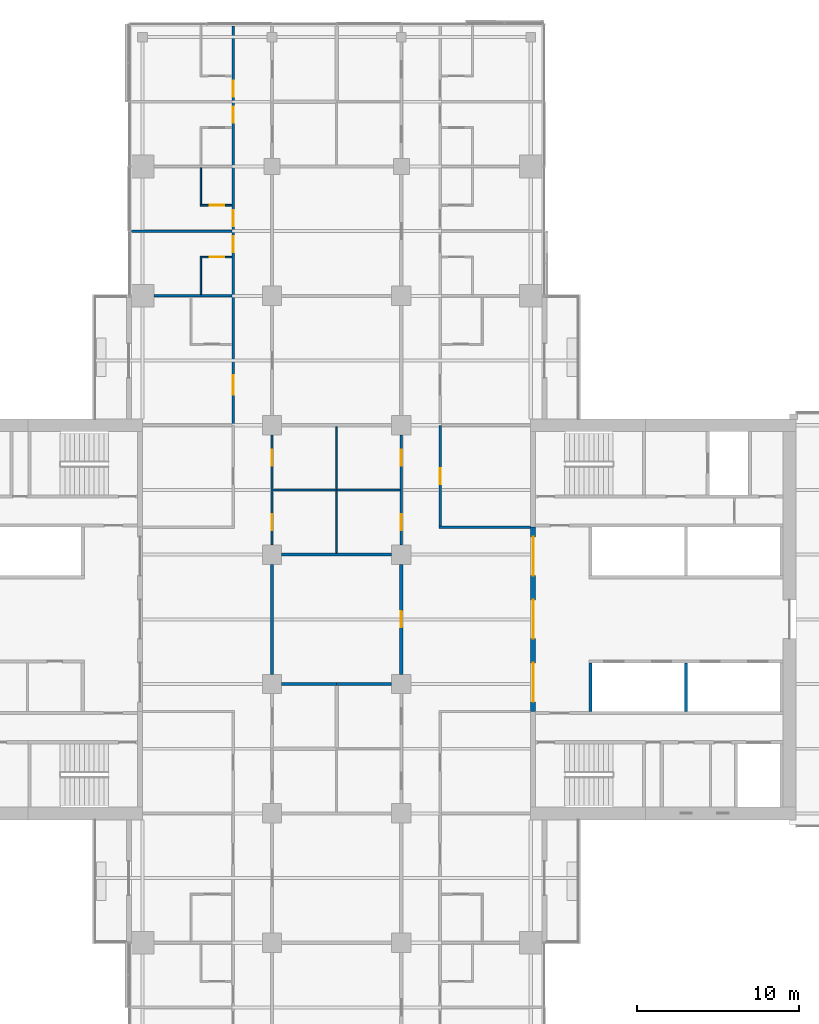
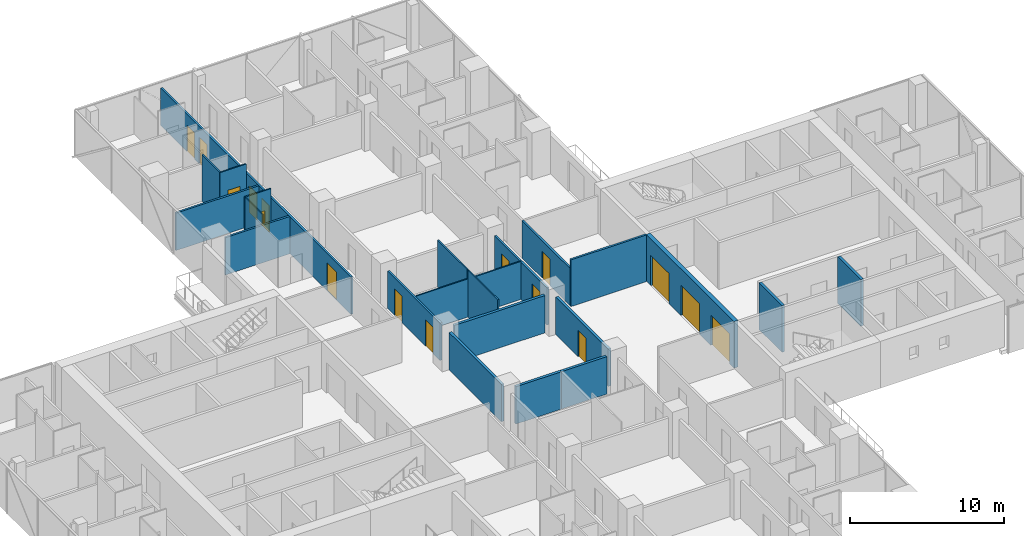
# One storey, part 20 of 29: 22 walls, 16 doors, 16 openings.
"""IFC4 building model written with IfcOpenShell, lengths in metres."""

from ifc_helpers import new_model, si_unit, direction, frame, frame_2d, origin, place, context, subcontext, project, spatial, rectangle, extrude, material, layer, layer_set, type_object, element, fill, save


model = new_model("IFC4")

# Units and contexts
model_context = context("Model", 3, precision=1e-05, world=origin(), true_north=direction((0.0, 1.0)))
body_context = subcontext(model_context, "Body", "Model", "MODEL_VIEW")
ifc_project = project(units=[si_unit("LENGTHUNIT", "METRE"), si_unit("AREAUNIT", "SQUARE_METRE"), si_unit("VOLUMEUNIT", "CUBIC_METRE"), si_unit("PLANEANGLEUNIT", "RADIAN"), si_unit("MASSUNIT", "GRAM", prefix="KILO")], contexts=[model_context])

# Site, building, storey
site_placement = place(None, origin())
site = spatial("IfcSite", under=ifc_project, at=site_placement, CompositionType="ELEMENT")
building_placement = place(site_placement, origin())
building = spatial("IfcBuilding", under=site, at=building_placement, Name="Crosswind Convention Tower", CompositionType="ELEMENT")
storey_placement = place(building_placement, frame((0.0, 0.0, 60.89990234375)))
storey = spatial("IfcBuildingStorey", under=building, at=storey_placement, Name="L09", CompositionType="ELEMENT", Elevation=60.89990234375)

# Walls
ifc_material_1 = material(Name="Concrete blockwork", Category="masonry")
ifc_layer_1 = layer(ifc_material_1, 0.199951171875)
ifc_layer_set_1 = layer_set([ifc_layer_1], Name="COMPARTMENT WALL 200")
wall_type_1 = type_object("IfcWallType", Name="COMPARTMENT WALL 200", PredefinedType="SOLIDWALL", material=ifc_layer_set_1)
wall_1_placement = place(storey_placement, frame((121.60009765625, 96.0, 0.0), z_axis=(0.0, 0.0, 1.0), x_axis=(1.0, 0.0, 0.0)))
element("IfcWall", 1, at=wall_1_placement, inside=storey, type_object=wall_type_1, Name="Compartment Wall 37", PredefinedType="SOLIDWALL", context=body_context, shape_type="SweptSolid", body=[
    extrude(rectangle(XDim=3.39990234375, YDim=0.199951171875, at=frame_2d((1.699951171875, 0.0))), origin(), (0.0, 0.0, 1.0), 2.9599609375),
])
ifc_material_2 = material(Name="Plasterboard partition", Category="gypsum")
ifc_layer_2 = layer(ifc_material_2, 0.14990234375)
ifc_layer_set_2 = layer_set([ifc_layer_2], Name="CORRIDOR WALL 150")
wall_type_2 = type_object("IfcWallType", Name="CORRIDOR WALL 150", PredefinedType="PARTITIONING", material=ifc_layer_set_2)
wall_2_placement = place(storey_placement, frame((131.324951171875, 105.699951171875, 0.0), z_axis=(0.0, 0.0, 1.0), x_axis=(1.0, 0.0, 0.0)))
element("IfcWall", 2, at=wall_2_placement, inside=storey, type_object=wall_type_2, Name="Corridor Wall 55", PredefinedType="PARTITIONING", context=body_context, shape_type="SweptSolid", body=[
    extrude(rectangle(XDim=5.675048828125, YDim=0.14990234375, at=frame_2d((2.83740234375, 0.0))), origin(), (0.0, 0.0, 1.0), 3.7001953125),
])

# Wall, openings, doors
wall_3_placement = place(storey_placement, frame((121.0, 104.60009765625, 0.0), z_axis=(0.0, 0.0, 1.0), x_axis=(0.0, 1.0, 0.0)))
wall_3 = element("IfcWall", 3, at=wall_3_placement, inside=storey, type_object=wall_type_2, Name="Corridor Wall 114", PredefinedType="PARTITIONING", context=body_context, shape_type="SweptSolid", body=[
    extrude(rectangle(XDim=6.7998046875, YDim=0.14990234375, at=frame_2d((3.39990234375, 0.0))), origin(), (0.0, 0.0, 1.0), 2.9599609375),
])
opening_1_placement = place(wall_3_placement, frame((0.89990234375, 0.0, 0.0)))
opening_1 = element("IfcOpeningElement", 4, at=opening_1_placement, cuts=wall_3, Name="Opening 09.080", PredefinedType="OPENING", context=body_context, shape_type="SweptSolid", body=[
    extrude(rectangle(XDim=1.0, YDim=2.10009765625, at=frame_2d((0.5, 1.050048828125))), frame((0.0, 0.0849609375, 0.0), z_axis=(0.0, -1.0, 0.0), x_axis=(1.0, 0.0, 0.0)), (0.0, 0.0, 1.0), 0.169921875),
])
opening_2_placement = place(wall_3_placement, frame((4.89990234375, 0.0, 0.0)))
opening_2 = element("IfcOpeningElement", 5, at=opening_2_placement, cuts=wall_3, Name="Opening 09.081", PredefinedType="OPENING", context=body_context, shape_type="SweptSolid", body=[
    extrude(rectangle(XDim=1.0, YDim=2.10009765625, at=frame_2d((0.5, 1.050048828125))), frame((0.0, 0.0849609375, 0.0), z_axis=(0.0, -1.0, 0.0), x_axis=(1.0, 0.0, 0.0)), (0.0, 0.0, 1.0), 0.169921875),
])
ifc_material_3 = material(Name="Timber fire door", Category="wood")
door_type_1 = type_object("IfcDoorType", Name="SERVICE ROOM DOOR 1000X2100", OperationType="NOTDEFINED", PredefinedType="DOOR", material=ifc_material_3)
door_1_placement = place(opening_1_placement, frame((1.0, 0.0, 0.0), z_axis=(0.0, 0.0, 1.0), x_axis=(-1.0, 0.0, 0.0)))
door_1 = element("IfcDoor", 6, at=door_1_placement, inside=storey, type_object=door_type_1, Name="Door 09.080", ObjectType="D3", OperationType="SINGLE_SWING_RIGHT", OverallHeight=2.10009765625, OverallWidth=1.0, PredefinedType="DOOR", context=body_context, shape_type="SweptSolid", body=[
    extrude(rectangle(XDim=1.0, YDim=2.10009765625, at=frame_2d((0.5, 1.050048828125))), frame((0.0, 0.02490234375, 0.0), z_axis=(0.0, -1.0, 0.0), x_axis=(1.0, 0.0, 0.0)), (0.0, 0.0, 1.0), 0.050048828125),
])
fill(opening_1, door_1)
door_2_placement = place(opening_2_placement, frame((1.0, 0.0, 0.0), z_axis=(0.0, 0.0, 1.0), x_axis=(-1.0, 0.0, 0.0)))
door_2 = element("IfcDoor", 7, at=door_2_placement, inside=storey, type_object=door_type_1, Name="Door 09.081", ObjectType="D3", OperationType="SINGLE_SWING_LEFT", OverallHeight=2.10009765625, OverallWidth=1.0, PredefinedType="DOOR", context=body_context, shape_type="SweptSolid", body=[
    extrude(rectangle(XDim=1.0, YDim=2.10009765625, at=frame_2d((0.5, 1.050048828125))), frame((0.0, 0.02490234375, 0.0), z_axis=(0.0, -1.0, 0.0), x_axis=(1.0, 0.0, 0.0)), (0.0, 0.0, 1.0), 0.050048828125),
])
fill(opening_2, door_2)

wall_4_placement = place(storey_placement, frame((129.0, 104.60009765625, 0.0), z_axis=(0.0, 0.0, 1.0), x_axis=(0.0, 1.0, 0.0)))
wall_4 = element("IfcWall", 8, at=wall_4_placement, inside=storey, type_object=wall_type_2, Name="Corridor Wall 134", PredefinedType="PARTITIONING", context=body_context, shape_type="SweptSolid", body=[
    extrude(rectangle(XDim=6.7998046875, YDim=0.14990234375, at=frame_2d((3.39990234375, 0.0))), origin(), (0.0, 0.0, 1.0), 2.9599609375),
])
opening_3_placement = place(wall_4_placement, frame((0.89990234375, 0.0, 0.0)))
opening_3 = element("IfcOpeningElement", 9, at=opening_3_placement, cuts=wall_4, Name="Opening 09.082", PredefinedType="OPENING", context=body_context, shape_type="SweptSolid", body=[
    extrude(rectangle(XDim=1.0, YDim=2.10009765625, at=frame_2d((0.5, 1.050048828125))), frame((0.0, 0.0849609375, 0.0), z_axis=(0.0, -1.0, 0.0), x_axis=(1.0, 0.0, 0.0)), (0.0, 0.0, 1.0), 0.169921875),
])
opening_4_placement = place(wall_4_placement, frame((4.89990234375, 0.0, 0.0)))
opening_4 = element("IfcOpeningElement", 10, at=opening_4_placement, cuts=wall_4, Name="Opening 09.083", PredefinedType="OPENING", context=body_context, shape_type="SweptSolid", body=[
    extrude(rectangle(XDim=1.0, YDim=2.10009765625, at=frame_2d((0.5, 1.050048828125))), frame((0.0, 0.0849609375, 0.0), z_axis=(0.0, -1.0, 0.0), x_axis=(1.0, 0.0, 0.0)), (0.0, 0.0, 1.0), 0.169921875),
])
door_3_placement = place(opening_3_placement, origin())
door_3 = element("IfcDoor", 11, at=door_3_placement, inside=storey, type_object=door_type_1, Name="Door 09.082", ObjectType="D3", OperationType="SINGLE_SWING_LEFT", OverallHeight=2.10009765625, OverallWidth=1.0, PredefinedType="DOOR", context=body_context, shape_type="SweptSolid", body=[
    extrude(rectangle(XDim=1.0, YDim=2.10009765625, at=frame_2d((0.5, 1.050048828125))), frame((0.0, 0.02490234375, 0.0), z_axis=(0.0, -1.0, 0.0), x_axis=(1.0, 0.0, 0.0)), (0.0, 0.0, 1.0), 0.050048828125),
])
fill(opening_3, door_3)
door_4_placement = place(opening_4_placement, origin())
door_4 = element("IfcDoor", 12, at=door_4_placement, inside=storey, type_object=door_type_1, Name="Door 09.083", ObjectType="D3", OperationType="SINGLE_SWING_RIGHT", OverallHeight=2.10009765625, OverallWidth=1.0, PredefinedType="DOOR", context=body_context, shape_type="SweptSolid", body=[
    extrude(rectangle(XDim=1.0, YDim=2.10009765625, at=frame_2d((0.5, 1.050048828125))), frame((0.0, 0.02490234375, 0.0), z_axis=(0.0, -1.0, 0.0), x_axis=(1.0, 0.0, 0.0)), (0.0, 0.0, 1.0), 0.050048828125),
])
fill(opening_4, door_4)

# Wall, opening, door
wall_5_placement = place(storey_placement, frame((131.39990234375, 105.77490234375, 0.0), z_axis=(0.0, 0.0, 1.0), x_axis=(0.0, 1.0, 0.0)))
wall_5 = element("IfcWall", 13, at=wall_5_placement, inside=storey, type_object=wall_type_2, Name="Corridor Wall 141", PredefinedType="PARTITIONING", context=body_context, shape_type="SweptSolid", body=[
    extrude(rectangle(XDim=6.22509765625, YDim=0.14990234375, at=frame_2d((3.112548828125, 0.0))), origin(), (0.0, 0.0, 1.0), 2.95654296875),
])
opening_5_placement = place(wall_5_placement, frame((2.574951171875, 0.0, 0.0)))
opening_5 = element("IfcOpeningElement", 14, at=opening_5_placement, cuts=wall_5, Name="Opening 09.001", PredefinedType="OPENING", context=body_context, shape_type="SweptSolid", body=[
    extrude(rectangle(XDim=1.0, YDim=2.10009765625, at=frame_2d((0.5, 1.050048828125))), frame((0.0, 0.0849609375, 0.0), z_axis=(0.0, -1.0, 0.0), x_axis=(1.0, 0.0, 0.0)), (0.0, 0.0, 1.0), 0.169921875),
])
door_5_placement = place(opening_5_placement, frame((1.0, 0.0, 0.0), z_axis=(0.0, 0.0, 1.0), x_axis=(-1.0, 0.0, 0.0)))
door_5 = element("IfcDoor", 15, at=door_5_placement, inside=storey, type_object=door_type_1, Name="Door 09.001", ObjectType="D3", OperationType="SINGLE_SWING_LEFT", OverallHeight=2.10009765625, OverallWidth=1.0, PredefinedType="DOOR", context=body_context, shape_type="SweptSolid", body=[
    extrude(rectangle(XDim=1.0, YDim=2.10009765625, at=frame_2d((0.5, 1.050048828125))), frame((0.0, 0.02490234375, 0.0), z_axis=(0.0, -1.0, 0.0), x_axis=(1.0, 0.0, 0.0)), (0.0, 0.0, 1.0), 0.050048828125),
])
fill(opening_5, door_5)

# Wall, openings, doors
ifc_material_4 = material(Name="Concrete C50/60", Category="concrete")
ifc_layer_3 = layer(ifc_material_4, 0.300048828125)
ifc_layer_set_3 = layer_set([ifc_layer_3], Name="Concrete C50/60")
wall_type_3 = type_object("IfcWallType", Name="Concrete inner core wall 300", PredefinedType="SHEAR", material=ifc_layer_set_3)
wall_6_placement = place(storey_placement, frame((137.14990234375, 94.300048828125, 0.0), z_axis=(0.0, 0.0, 1.0), x_axis=(0.0, 1.0, 0.0)))
wall_6 = element("IfcWall", 16, at=wall_6_placement, inside=storey, type_object=wall_type_3, Name="Wall SCR E L09", PredefinedType="SHEAR", context=body_context, shape_type="SweptSolid", body=[
    extrude(rectangle(XDim=11.39990234375, YDim=0.300048828125, at=frame_2d((5.699951171875, 0.0))), origin(), (0.0, 0.0, 1.0), 3.7001953125),
])
opening_6_placement = place(wall_6_placement, frame((0.60009765625, 0.0, 0.0)))
opening_6 = element("IfcOpeningElement", 17, at=opening_6_placement, cuts=wall_6, Name="Opening D100", PredefinedType="OPENING", context=body_context, shape_type="SweptSolid", body=[
    extrude(rectangle(XDim=2.39990234375, YDim=2.39990234375, at=frame_2d((1.199951171875, 1.199951171875))), frame((0.0, 0.159912109375, 0.0), z_axis=(0.0, -1.0, 0.0), x_axis=(1.0, 0.0, 0.0)), (0.0, 0.0, 1.0), 0.320068359375),
])
opening_7_placement = place(wall_6_placement, frame((4.5, 0.0, 0.0)))
opening_7 = element("IfcOpeningElement", 18, at=opening_7_placement, cuts=wall_6, Name="Opening D100", PredefinedType="OPENING", context=body_context, shape_type="SweptSolid", body=[
    extrude(rectangle(XDim=2.39990234375, YDim=2.39990234375, at=frame_2d((1.199951171875, 1.199951171875))), frame((0.0, 0.159912109375, 0.0), z_axis=(0.0, -1.0, 0.0), x_axis=(1.0, 0.0, 0.0)), (0.0, 0.0, 1.0), 0.320068359375),
])
opening_8_placement = place(wall_6_placement, frame((8.39990234375, 0.0, 0.0)))
opening_8 = element("IfcOpeningElement", 19, at=opening_8_placement, cuts=wall_6, Name="Opening D100", PredefinedType="OPENING", context=body_context, shape_type="SweptSolid", body=[
    extrude(rectangle(XDim=2.39990234375, YDim=2.39990234375, at=frame_2d((1.199951171875, 1.199951171875))), frame((0.0, 0.159912109375, 0.0), z_axis=(0.0, -1.0, 0.0), x_axis=(1.0, 0.0, 0.0)), (0.0, 0.0, 1.0), 0.320068359375),
])
ifc_material_5 = material(Name="Steel fire door with glazed vision panels", Category="steel")
door_type_2 = type_object("IfcDoorType", Name="Fire-rated double door 2400x2400", OperationType="DOUBLE_DOOR_SINGLE_SWING", PredefinedType="DOOR", material=ifc_material_5)
door_6_placement = place(opening_6_placement, origin())
door_6 = element("IfcDoor", 20, at=door_6_placement, inside=storey, type_object=door_type_2, Name="Lobby door 1 L09", ObjectType="D100", OperationType="DOUBLE_DOOR_SINGLE_SWING", OverallHeight=2.39990234375, OverallWidth=2.39990234375, PredefinedType="DOOR", context=body_context, shape_type="SweptSolid", body=[
    extrude(rectangle(XDim=2.39990234375, YDim=2.39990234375, at=frame_2d((1.199951171875, 1.199951171875))), frame((0.0, 0.02490234375, 0.0), z_axis=(0.0, -1.0, 0.0), x_axis=(1.0, 0.0, 0.0)), (0.0, 0.0, 1.0), 0.050048828125),
])
fill(opening_6, door_6)
door_7_placement = place(opening_7_placement, origin())
door_7 = element("IfcDoor", 21, at=door_7_placement, inside=storey, type_object=door_type_2, Name="Lobby door 2 L09", ObjectType="D100", OperationType="DOUBLE_DOOR_SINGLE_SWING", OverallHeight=2.39990234375, OverallWidth=2.39990234375, PredefinedType="DOOR", context=body_context, shape_type="SweptSolid", body=[
    extrude(rectangle(XDim=2.39990234375, YDim=2.39990234375, at=frame_2d((1.199951171875, 1.199951171875))), frame((0.0, 0.02490234375, 0.0), z_axis=(0.0, -1.0, 0.0), x_axis=(1.0, 0.0, 0.0)), (0.0, 0.0, 1.0), 0.050048828125),
])
fill(opening_7, door_7)
door_8_placement = place(opening_8_placement, origin())
door_8 = element("IfcDoor", 22, at=door_8_placement, inside=storey, type_object=door_type_2, Name="Lobby door 3 L09", ObjectType="D100", OperationType="DOUBLE_DOOR_SINGLE_SWING", OverallHeight=2.39990234375, OverallWidth=2.39990234375, PredefinedType="DOOR", context=body_context, shape_type="SweptSolid", body=[
    extrude(rectangle(XDim=2.39990234375, YDim=2.39990234375, at=frame_2d((1.199951171875, 1.199951171875))), frame((0.0, 0.02490234375, 0.0), z_axis=(0.0, -1.0, 0.0), x_axis=(1.0, 0.0, 0.0)), (0.0, 0.0, 1.0), 0.050048828125),
])
fill(opening_8, door_8)

# Walls
ifc_layer_4 = layer(ifc_material_4, 0.199951171875)
ifc_layer_set_4 = layer_set([ifc_layer_4], Name="Concrete C50/60")
wall_type_4 = type_object("IfcWallType", Name="Concrete shaft and stair wall 200", PredefinedType="SHEAR", material=ifc_layer_set_4)
for number, where, z_axis, x_axis, name in (
    (23, (140.699951171875, 94.300048828125, 0.0), (0.0, 0.0, 1.0), (0.0, 1.0, 0.0), "Wall RMEND E L09"),
    (24, (146.60009765625, 94.300048828125, 0.0), (0.0, 0.0, 1.0), (0.0, 1.0, 0.0), "Wall RMSEP E L09"),
):
    element("IfcWall", number, at=place(storey_placement, frame(where, z_axis=z_axis, x_axis=x_axis)), inside=storey, type_object=wall_type_4, Name=name, PredefinedType="SHEAR", context=body_context, shape_type="SweptSolid", body=[
        extrude(rectangle(XDim=3.0, YDim=0.199951171875, at=frame_2d((1.5, 0.0))), origin(), (0.0, 0.0, 1.0), 3.7001953125),
    ])
ifc_material_6 = material(Name="Acoustic plasterboard partition", Category="gypsum")
ifc_layer_5 = layer(ifc_material_6, 0.14990234375)
ifc_layer_set_5 = layer_set([ifc_layer_5], Name="GUEST ROOM WALL 150")
wall_type_5 = type_object("IfcWallType", Name="GUEST ROOM WALL 150", PredefinedType="PARTITIONING", material=ifc_layer_set_5)
wall_7_placement = place(storey_placement, frame((113.699951171875, 120.0, 0.0), z_axis=(0.0, 0.0, 1.0), x_axis=(1.0, 0.0, 0.0)))
element("IfcWall", 25, at=wall_7_placement, inside=storey, type_object=wall_type_5, Name="Guest Room Wall 66", PredefinedType="PARTITIONING", context=body_context, shape_type="SweptSolid", body=[
    extrude(rectangle(XDim=4.824951171875, YDim=0.14990234375, at=frame_2d((2.41259765625, 0.0))), origin(), (0.0, 0.0, 1.0), 2.9599609375),
])
wall_8_placement = place(storey_placement, frame((112.300048828125, 124.0, 0.0), z_axis=(0.0, 0.0, 1.0), x_axis=(1.0, 0.0, 0.0)))
element("IfcWall", 26, at=wall_8_placement, inside=storey, type_object=wall_type_5, Name="Guest Room Wall 71", PredefinedType="PARTITIONING", context=body_context, shape_type="SweptSolid", body=[
    extrude(rectangle(XDim=6.224853515625, YDim=0.14990234375, at=frame_2d((3.1123046875, 0.0))), origin(), (0.0, 0.0, 1.0), 2.962890625),
])

# Wall, openings, doors
wall_9_placement = place(storey_placement, frame((118.60009765625, 112.0, 0.0), z_axis=(0.0, 0.0, 1.0), x_axis=(0.0, 1.0, 0.0)))
wall_9 = element("IfcWall", 27, at=wall_9_placement, inside=storey, type_object=wall_type_5, Name="Guest Room Wall 106", PredefinedType="PARTITIONING", context=body_context, shape_type="SweptSolid", body=[
    extrude(rectangle(XDim=24.699951171875, YDim=0.14990234375, at=frame_2d((12.35009765625, 0.0))), origin(), (0.0, 0.0, 1.0), 2.95654296875),
])
opening_9_placement = place(wall_9_placement, frame((1.89990234375, 0.0, 0.0)))
opening_9 = element("IfcOpeningElement", 28, at=opening_9_placement, cuts=wall_9, Name="Opening 09.015", PredefinedType="OPENING", context=body_context, shape_type="SweptSolid", body=[
    extrude(rectangle(XDim=1.199951171875, YDim=2.199951171875, at=frame_2d((0.60009765625, 1.10009765625))), frame((0.0, 0.0849609375, 0.0), z_axis=(0.0, -1.0, 0.0), x_axis=(1.0, 0.0, 0.0)), (0.0, 0.0, 1.0), 0.169921875),
])
opening_10_placement = place(wall_9_placement, frame((10.699951171875, 0.0, 0.0)))
opening_10 = element("IfcOpeningElement", 29, at=opening_10_placement, cuts=wall_9, Name="Opening 09.017", PredefinedType="OPENING", context=body_context, shape_type="SweptSolid", body=[
    extrude(rectangle(XDim=1.0, YDim=2.10009765625, at=frame_2d((0.5, 1.050048828125))), frame((0.0, 0.0849609375, 0.0), z_axis=(0.0, -1.0, 0.0), x_axis=(1.0, 0.0, 0.0)), (0.0, 0.0, 1.0), 0.169921875),
])
opening_11_placement = place(wall_9_placement, frame((12.300048828125, 0.0, 0.0)))
opening_11 = element("IfcOpeningElement", 30, at=opening_11_placement, cuts=wall_9, Name="Opening 09.019", PredefinedType="OPENING", context=body_context, shape_type="SweptSolid", body=[
    extrude(rectangle(XDim=1.0, YDim=2.10009765625, at=frame_2d((0.5, 1.050048828125))), frame((0.0, 0.0849609375, 0.0), z_axis=(0.0, -1.0, 0.0), x_axis=(1.0, 0.0, 0.0)), (0.0, 0.0, 1.0), 0.169921875),
])
opening_12_placement = place(wall_9_placement, frame((18.699951171875, 0.0, 0.0)))
opening_12 = element("IfcOpeningElement", 31, at=opening_12_placement, cuts=wall_9, Name="Opening 09.021", PredefinedType="OPENING", context=body_context, shape_type="SweptSolid", body=[
    extrude(rectangle(XDim=1.0, YDim=2.10009765625, at=frame_2d((0.5, 1.050048828125))), frame((0.0, 0.0849609375, 0.0), z_axis=(0.0, -1.0, 0.0), x_axis=(1.0, 0.0, 0.0)), (0.0, 0.0, 1.0), 0.169921875),
])
opening_13_placement = place(wall_9_placement, frame((20.300048828125, 0.0, 0.0)))
opening_13 = element("IfcOpeningElement", 32, at=opening_13_placement, cuts=wall_9, Name="Opening 09.023", PredefinedType="OPENING", context=body_context, shape_type="SweptSolid", body=[
    extrude(rectangle(XDim=1.0, YDim=2.10009765625, at=frame_2d((0.5, 1.050048828125))), frame((0.0, 0.0849609375, 0.0), z_axis=(0.0, -1.0, 0.0), x_axis=(1.0, 0.0, 0.0)), (0.0, 0.0, 1.0), 0.169921875),
])
door_type_3 = type_object("IfcDoorType", Name="GUEST ROOM DOOR 1000X2100", OperationType="NOTDEFINED", PredefinedType="DOOR", material=ifc_material_3)
door_9_placement = place(opening_10_placement, origin())
door_9 = element("IfcDoor", 33, at=door_9_placement, inside=storey, type_object=door_type_3, Name="Door 09.017", ObjectType="D1", OperationType="SINGLE_SWING_RIGHT", OverallHeight=2.10009765625, OverallWidth=1.0, PredefinedType="DOOR", context=body_context, shape_type="SweptSolid", body=[
    extrude(rectangle(XDim=1.0, YDim=2.10009765625, at=frame_2d((0.5, 1.050048828125))), frame((0.0, 0.02490234375, 0.0), z_axis=(0.0, -1.0, 0.0), x_axis=(1.0, 0.0, 0.0)), (0.0, 0.0, 1.0), 0.050048828125),
])
fill(opening_10, door_9)
door_10_placement = place(opening_11_placement, origin())
door_10 = element("IfcDoor", 34, at=door_10_placement, inside=storey, type_object=door_type_3, Name="Door 09.019", ObjectType="D1", OperationType="SINGLE_SWING_RIGHT", OverallHeight=2.10009765625, OverallWidth=1.0, PredefinedType="DOOR", context=body_context, shape_type="SweptSolid", body=[
    extrude(rectangle(XDim=1.0, YDim=2.10009765625, at=frame_2d((0.5, 1.050048828125))), frame((0.0, 0.02490234375, 0.0), z_axis=(0.0, -1.0, 0.0), x_axis=(1.0, 0.0, 0.0)), (0.0, 0.0, 1.0), 0.050048828125),
])
fill(opening_11, door_10)
door_11_placement = place(opening_12_placement, origin())
door_11 = element("IfcDoor", 35, at=door_11_placement, inside=storey, type_object=door_type_3, Name="Door 09.021", ObjectType="D1", OperationType="SINGLE_SWING_RIGHT", OverallHeight=2.10009765625, OverallWidth=1.0, PredefinedType="DOOR", context=body_context, shape_type="SweptSolid", body=[
    extrude(rectangle(XDim=1.0, YDim=2.10009765625, at=frame_2d((0.5, 1.050048828125))), frame((0.0, 0.02490234375, 0.0), z_axis=(0.0, -1.0, 0.0), x_axis=(1.0, 0.0, 0.0)), (0.0, 0.0, 1.0), 0.050048828125),
])
fill(opening_12, door_11)
door_12_placement = place(opening_13_placement, origin())
door_12 = element("IfcDoor", 36, at=door_12_placement, inside=storey, type_object=door_type_3, Name="Door 09.023", ObjectType="D1", OperationType="SINGLE_SWING_RIGHT", OverallHeight=2.10009765625, OverallWidth=1.0, PredefinedType="DOOR", context=body_context, shape_type="SweptSolid", body=[
    extrude(rectangle(XDim=1.0, YDim=2.10009765625, at=frame_2d((0.5, 1.050048828125))), frame((0.0, 0.02490234375, 0.0), z_axis=(0.0, -1.0, 0.0), x_axis=(1.0, 0.0, 0.0)), (0.0, 0.0, 1.0), 0.050048828125),
])
fill(opening_13, door_12)
door_type_4 = type_object("IfcDoorType", Name="SUITE DOOR 1200X2200", OperationType="DOUBLE_DOOR_SINGLE_SWING", PredefinedType="DOOR", material=ifc_material_3)
door_13_placement = place(opening_9_placement, origin())
door_13 = element("IfcDoor", 37, at=door_13_placement, inside=storey, type_object=door_type_4, Name="Door 09.015", ObjectType="D14", OperationType="DOUBLE_DOOR_SINGLE_SWING", OverallHeight=2.199951171875, OverallWidth=1.199951171875, PredefinedType="DOOR", context=body_context, shape_type="SweptSolid", body=[
    extrude(rectangle(XDim=1.199951171875, YDim=2.199951171875, at=frame_2d((0.60009765625, 1.10009765625))), frame((0.0, 0.02490234375, 0.0), z_axis=(0.0, -1.0, 0.0), x_axis=(1.0, 0.0, 0.0)), (0.0, 0.0, 1.0), 0.050048828125),
])
fill(opening_9, door_13)

# Walls
ifc_material_7 = material(Name="Double plasterboard partition", Category="gypsum")
ifc_layer_6 = layer(ifc_material_7, 0.199951171875)
ifc_layer_set_6 = layer_set([ifc_layer_6], Name="HALL WALL 200")
wall_type_6 = type_object("IfcWallType", Name="HALL WALL 200", PredefinedType="PARTITIONING", material=ifc_layer_set_6)
wall_10_placement = place(storey_placement, frame((125.0, 96.0, 0.0), z_axis=(0.0, 0.0, 1.0), x_axis=(1.0, 0.0, 0.0)))
element("IfcWall", 38, at=wall_10_placement, inside=storey, type_object=wall_type_6, Name="Hall Wall 38", PredefinedType="PARTITIONING", context=body_context, shape_type="SweptSolid", body=[
    extrude(rectangle(XDim=3.39990234375, YDim=0.199951171875, at=frame_2d((1.699951171875, 0.0))), origin(), (0.0, 0.0, 1.0), 2.9599609375),
])
for number, where, z_axis, x_axis, name in (
    (39, (121.60009765625, 104.0, 0.0), (0.0, 0.0, 1.0), (1.0, 0.0, 0.0), "Hall Wall 49"),
    (40, (121.0, 96.60009765625, 0.0), (0.0, 0.0, 1.0), (0.0, 1.0, 0.0), "Hall Wall 113"),
):
    element("IfcWall", number, at=place(storey_placement, frame(where, z_axis=z_axis, x_axis=x_axis)), inside=storey, type_object=wall_type_6, Name=name, PredefinedType="PARTITIONING", context=body_context, shape_type="SweptSolid", body=[
        extrude(rectangle(XDim=6.7998046875, YDim=0.199951171875, at=frame_2d((3.39990234375, 0.0))), origin(), (0.0, 0.0, 1.0), 2.9599609375),
    ])

# Wall, opening, door
wall_11_placement = place(storey_placement, frame((129.0, 96.60009765625, 0.0), z_axis=(0.0, 0.0, 1.0), x_axis=(0.0, 1.0, 0.0)))
wall_11 = element("IfcWall", 41, at=wall_11_placement, inside=storey, type_object=wall_type_6, Name="Hall Wall 133", PredefinedType="PARTITIONING", context=body_context, shape_type="SweptSolid", body=[
    extrude(rectangle(XDim=6.7998046875, YDim=0.199951171875, at=frame_2d((3.39990234375, 0.0))), origin(), (0.0, 0.0, 1.0), 2.9599609375),
])
opening_14_placement = place(wall_11_placement, frame((2.89990234375, 0.0, 0.0)))
opening_14 = element("IfcOpeningElement", 42, at=opening_14_placement, cuts=wall_11, Name="Opening 09.079", PredefinedType="OPENING", context=body_context, shape_type="SweptSolid", body=[
    extrude(rectangle(XDim=1.0, YDim=2.10009765625, at=frame_2d((0.5, 1.050048828125))), frame((0.0, 0.10986328125, 0.0), z_axis=(0.0, -1.0, 0.0), x_axis=(1.0, 0.0, 0.0)), (0.0, 0.0, 1.0), 0.219970703125),
])
door_type_5 = type_object("IfcDoorType", Name="MEETING ROOM DOOR 1000X2100", OperationType="NOTDEFINED", PredefinedType="DOOR", material=ifc_material_3)
door_14_placement = place(opening_14_placement, origin())
door_14 = element("IfcDoor", 43, at=door_14_placement, inside=storey, type_object=door_type_5, Name="Door 09.079", ObjectType="D13", OperationType="SINGLE_SWING_RIGHT", OverallHeight=2.10009765625, OverallWidth=1.0, PredefinedType="DOOR", context=body_context, shape_type="SweptSolid", body=[
    extrude(rectangle(XDim=1.0, YDim=2.10009765625, at=frame_2d((0.5, 1.050048828125))), frame((0.0, 0.02490234375, 0.0), z_axis=(0.0, -1.0, 0.0), x_axis=(1.0, 0.0, 0.0)), (0.0, 0.0, 1.0), 0.050048828125),
])
fill(opening_14, door_14)

# Walls
ifc_layer_7 = layer(ifc_material_2, 0.10009765625)
ifc_layer_set_7 = layer_set([ifc_layer_7], Name="PARTITION 100")
wall_type_7 = type_object("IfcWallType", Name="PARTITION 100", PredefinedType="PARTITIONING", material=ifc_layer_set_7)
wall_12_placement = place(storey_placement, frame((121.074951171875, 108.0, 0.0), z_axis=(0.0, 0.0, 1.0), x_axis=(1.0, 0.0, 0.0)))
element("IfcWall", 44, at=wall_12_placement, inside=storey, type_object=wall_type_7, Name="Partition 57", PredefinedType="PARTITIONING", context=body_context, shape_type="SweptSolid", body=[
    extrude(rectangle(XDim=7.85009765625, YDim=0.10009765625, at=frame_2d((3.925048828125, 0.0))), origin(), (0.0, 0.0, 1.0), 3.013671875),
])
for number, where, z_axis, x_axis, name in (
    (45, (125.0, 104.10009765625, 0.0), (0.0, 0.0, 1.0), (0.0, 1.0, 0.0), "Partition 124"),
    (46, (125.0, 108.050048828125, 0.0), (0.0, 0.0, 1.0), (0.0, 1.0, 0.0), "Partition 125"),
):
    element("IfcWall", number, at=place(storey_placement, frame(where, z_axis=z_axis, x_axis=x_axis)), inside=storey, type_object=wall_type_7, Name=name, PredefinedType="PARTITIONING", context=body_context, shape_type="SweptSolid", body=[
        extrude(rectangle(XDim=3.849853515625, YDim=0.10009765625, at=frame_2d((1.9248046875, 0.0))), origin(), (0.0, 0.0, 1.0), 3.7001953125),
    ])

# Wall, opening, door
ifc_material_8 = material(Name="Water-resistant plasterboard partition", Category="gypsum")
ifc_layer_8 = layer(ifc_material_8, 0.10009765625)
ifc_layer_set_8 = layer_set([ifc_layer_8], Name="WET ROOM PARTITION 100")
wall_type_8 = type_object("IfcWallType", Name="WET ROOM PARTITION 100", PredefinedType="PLUMBINGWALL", material=ifc_layer_set_8)
wall_13_placement = place(storey_placement, frame((116.550048828125, 122.39990234375, 0.0), z_axis=(0.0, 0.0, 1.0), x_axis=(1.0, 0.0, 0.0)))
wall_13 = element("IfcWall", 47, at=wall_13_placement, inside=storey, type_object=wall_type_8, Name="Wet Room Partition 69", PredefinedType="PLUMBINGWALL", context=body_context, shape_type="SweptSolid", body=[
    extrude(rectangle(XDim=1.974853515625, YDim=0.10009765625, at=frame_2d((0.9873046875, 0.0))), origin(), (0.0, 0.0, 1.0), 3.7001953125),
])
opening_15_placement = place(wall_13_placement, frame((0.60009765625, 0.0, 0.0)))
opening_15 = element("IfcOpeningElement", 48, at=opening_15_placement, cuts=wall_13, Name="Opening 09.018", PredefinedType="OPENING", context=body_context, shape_type="SweptSolid", body=[
    extrude(rectangle(XDim=0.89990234375, YDim=2.10009765625, at=frame_2d((0.449951171875, 1.050048828125))), frame((0.0, 0.06005859375, 0.0), z_axis=(0.0, -1.0, 0.0), x_axis=(1.0, 0.0, 0.0)), (0.0, 0.0, 1.0), 0.1201171875),
])
ifc_material_9 = material(Name="Timber door", Category="wood")
door_type_6 = type_object("IfcDoorType", Name="EN-SUITE DOOR 900X2100", OperationType="NOTDEFINED", PredefinedType="DOOR", material=ifc_material_9)
door_15_placement = place(opening_15_placement, frame((0.89990234375, 0.0, 0.0), z_axis=(0.0, 0.0, 1.0), x_axis=(-1.0, 0.0, 0.0)))
door_15 = element("IfcDoor", 49, at=door_15_placement, inside=storey, type_object=door_type_6, Name="Door 09.018", ObjectType="D2", OperationType="SINGLE_SWING_LEFT", OverallHeight=2.10009765625, OverallWidth=0.89990234375, PredefinedType="DOOR", context=body_context, shape_type="SweptSolid", body=[
    extrude(rectangle(XDim=0.89990234375, YDim=2.10009765625, at=frame_2d((0.449951171875, 1.050048828125))), frame((0.0, 0.02490234375, 0.0), z_axis=(0.0, -1.0, 0.0), x_axis=(1.0, 0.0, 0.0)), (0.0, 0.0, 1.0), 0.050048828125),
])
fill(opening_15, door_15)

wall_14_placement = place(storey_placement, frame((116.550048828125, 125.60009765625, 0.0), z_axis=(0.0, 0.0, 1.0), x_axis=(1.0, 0.0, 0.0)))
wall_14 = element("IfcWall", 50, at=wall_14_placement, inside=storey, type_object=wall_type_8, Name="Wet Room Partition 73", PredefinedType="PLUMBINGWALL", context=body_context, shape_type="SweptSolid", body=[
    extrude(rectangle(XDim=1.974853515625, YDim=0.10009765625, at=frame_2d((0.9873046875, 0.0))), origin(), (0.0, 0.0, 1.0), 3.7001953125),
])
opening_16_placement = place(wall_14_placement, frame((0.60009765625, 0.0, 0.0)))
opening_16 = element("IfcOpeningElement", 51, at=opening_16_placement, cuts=wall_14, Name="Opening 09.020", PredefinedType="OPENING", context=body_context, shape_type="SweptSolid", body=[
    extrude(rectangle(XDim=0.89990234375, YDim=2.10009765625, at=frame_2d((0.449951171875, 1.050048828125))), frame((0.0, 0.06005859375, 0.0), z_axis=(0.0, -1.0, 0.0), x_axis=(1.0, 0.0, 0.0)), (0.0, 0.0, 1.0), 0.1201171875),
])
door_16_placement = place(opening_16_placement, origin())
door_16 = element("IfcDoor", 52, at=door_16_placement, inside=storey, type_object=door_type_6, Name="Door 09.020", ObjectType="D2", OperationType="SINGLE_SWING_RIGHT", OverallHeight=2.10009765625, OverallWidth=0.89990234375, PredefinedType="DOOR", context=body_context, shape_type="SweptSolid", body=[
    extrude(rectangle(XDim=0.89990234375, YDim=2.10009765625, at=frame_2d((0.449951171875, 1.050048828125))), frame((0.0, 0.02490234375, 0.0), z_axis=(0.0, -1.0, 0.0), x_axis=(1.0, 0.0, 0.0)), (0.0, 0.0, 1.0), 0.050048828125),
])
fill(opening_16, door_16)

# Walls
for number, where, z_axis, x_axis, name in (
    (53, (116.60009765625, 120.074951171875, 0.0), (0.0, 0.0, 1.0), (0.0, 1.0, 0.0), "Wet Room Partition 99"),
    (54, (116.60009765625, 125.64990234375, 0.0), (0.0, 0.0, 1.0), (0.0, 1.0, 0.0), "Wet Room Partition 100"),
):
    element("IfcWall", number, at=place(storey_placement, frame(where, z_axis=z_axis, x_axis=x_axis)), inside=storey, type_object=wall_type_8, Name=name, PredefinedType="PLUMBINGWALL", context=body_context, shape_type="SweptSolid", body=[
        extrude(rectangle(XDim=2.275146484375, YDim=0.10009765625, at=frame_2d((1.1376953125, 0.0))), origin(), (0.0, 0.0, 1.0), 3.7001953125),
    ])

save(model, "model.ifc")
